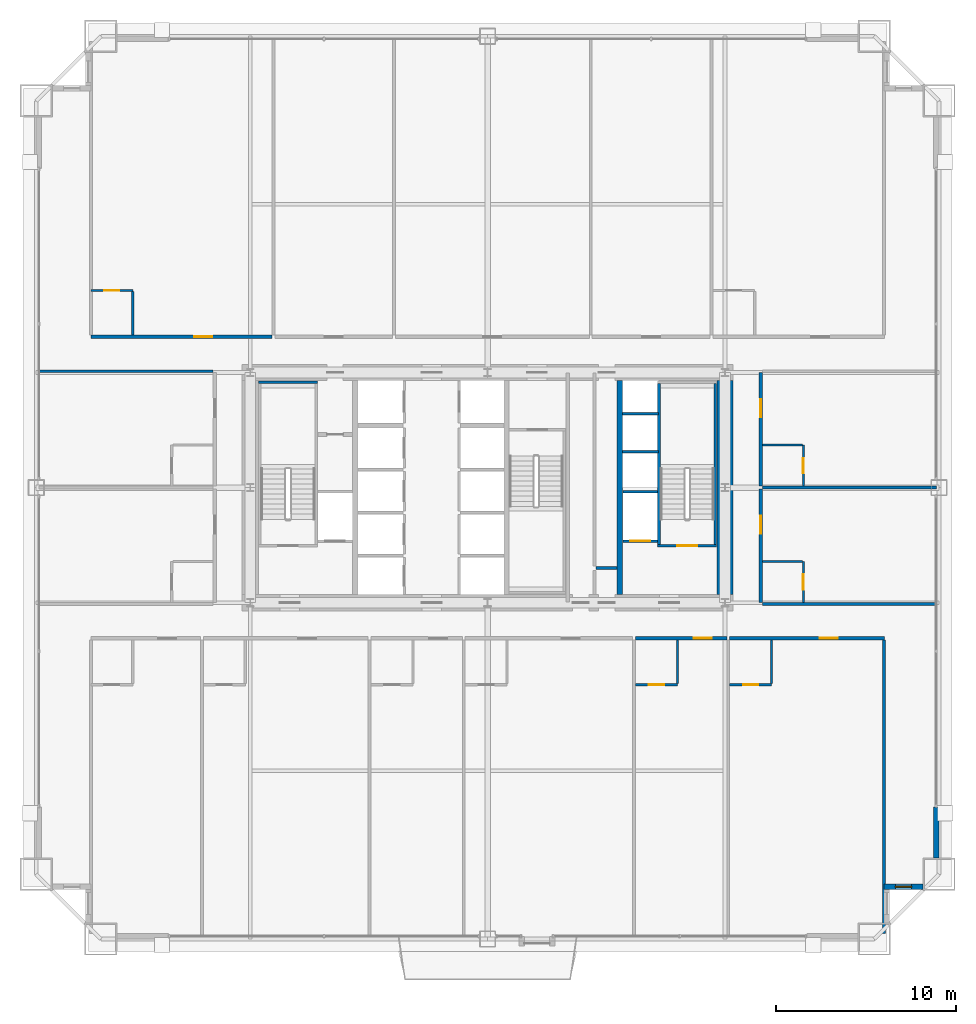
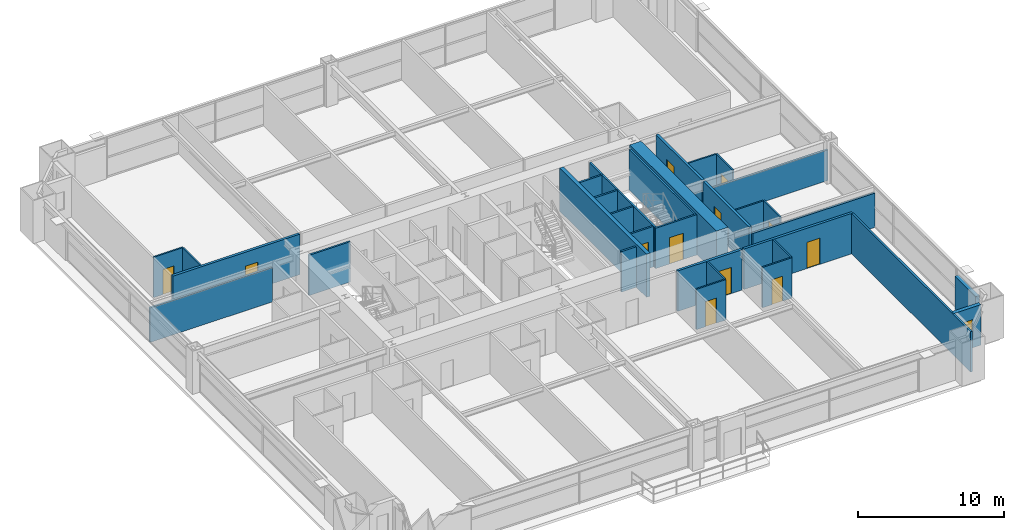
# One storey, part 41 of 43: 32 walls, 12 doors, 1 window, 13 openings.
"""IFC4 building model written with IfcOpenShell, lengths in metres."""

from ifc_helpers import new_model, si_unit, direction, frame, frame_2d, origin, place, context, subcontext, project, spatial, rectangle, extrude, source, transform, mapped, material, layer, layer_set, type_object, element, fill, save


model = new_model("IFC4")

# Units and contexts
model_context = context("Model", 3, precision=1e-05, world=origin(), true_north=direction((0.0, 1.0)))
body_context = subcontext(model_context, "Body", "Model", "MODEL_VIEW")
ifc_project = project(units=[si_unit("LENGTHUNIT", "METRE"), si_unit("AREAUNIT", "SQUARE_METRE"), si_unit("VOLUMEUNIT", "CUBIC_METRE"), si_unit("PLANEANGLEUNIT", "RADIAN"), si_unit("MASSUNIT", "GRAM", prefix="KILO"), si_unit("THERMODYNAMICTEMPERATUREUNIT", "KELVIN"), si_unit("POWERUNIT", "WATT")], contexts=[model_context])

# Site, building, storey
site_placement = place(None, origin())
site = spatial("IfcSite", under=ifc_project, at=site_placement, CompositionType="ELEMENT")
building_placement = place(site_placement, origin())
building = spatial("IfcBuilding", under=site, at=building_placement, Name="Yuzanri Waterfront Tower", CompositionType="ELEMENT")
storey_placement = place(building_placement, frame((0.0, 0.0, 64.0)))
storey = spatial("IfcBuildingStorey", under=building, at=storey_placement, Name="L16", CompositionType="ELEMENT", Elevation=64.0)

# Wall, opening, door
ifc_material_1 = material(Name="Moisture-Resistant Gypsum Stud Wall", Category="gypsum")
ifc_layer_1 = layer(ifc_material_1, 0.1201171875)
ifc_layer_set_1 = layer_set([ifc_layer_1], Name="Moisture-Resistant Gypsum Stud Wall")
wall_type_1 = type_object("IfcWallType", Name="Bathroom and Kitchen Wet Partition 120", PredefinedType="PARTITIONING", material=ifc_layer_set_1)
wall_1_placement = place(storey_placement, frame((45.22705078125, 14.840087890625, 0.0), z_axis=(0.0, 0.0, 1.0), x_axis=(1.0, 0.0, 0.0)))
wall_1 = element("IfcWall", 1, at=wall_1_placement, inside=storey, type_object=wall_type_1, Name="L16 Partition UW-L16-S5-BS", PredefinedType="PARTITIONING", context=body_context, shape_type="SweptSolid", body=[
    extrude(rectangle(XDim=2.329833984375, YDim=0.1201171875, at=frame_2d((1.1650390625, 0.0))), origin(), (0.0, 0.0, 1.0), 3.3798828125),
])
opening_1_placement = place(wall_1_placement, frame((0.739990234375, 0.0, 0.0)))
opening_1 = element("IfcOpeningElement", 2, at=opening_1_placement, cuts=wall_1, Name="Opening ID-0850", PredefinedType="OPENING", context=body_context, shape_type="SweptSolid", body=[
    extrude(rectangle(XDim=0.85009765625, YDim=2.10009765625, at=frame_2d((0.425048828125, 1.050048828125))), frame((0.0, 0.074951171875, 0.0), z_axis=(0.0, -1.0, 0.0), x_axis=(1.0, 0.0, 0.0)), (0.0, 0.0, 1.0), 0.14990234375),
])
ifc_material_2 = material(Name="Moisture-Resistant Lacquered Timber", Category="wood")
door_type_1 = type_object("IfcDoorType", Name="En-Suite Bathroom and Kitchen Swing Door 850x2100", OperationType="NOTDEFINED", PredefinedType="DOOR", material=ifc_material_2)
shared_shape_1 = source(origin(), body_context, "Body", "SweptSolid", [
    extrude(rectangle(XDim=0.85009765625, YDim=2.10009765625, at=frame_2d((0.425048828125, 1.050048828125))), frame((0.0, 0.02490234375, 0.0), z_axis=(0.0, -1.0, 0.0), x_axis=(1.0, 0.0, 0.0)), (0.0, 0.0, 1.0), 0.050048828125),
])
door_1_placement = place(opening_1_placement, origin())
door_1 = element("IfcDoor", 3, at=door_1_placement, inside=storey, type_object=door_type_1, Name="L16 Guest En-Suite Door", OperationType="SINGLE_SWING_RIGHT", OverallHeight=2.10009765625, OverallWidth=0.85009765625, PredefinedType="DOOR", context=body_context, shape_type="MappedRepresentation", body=[
    mapped(shared_shape_1, transform((0.0, 0.0, 0.0), scale=1.0)),
])
fill(opening_1, door_1)

wall_2_placement = place(storey_placement, frame((50.462890625, 14.840087890625, 0.0), z_axis=(0.0, 0.0, 1.0), x_axis=(1.0, 0.0, 0.0)))
wall_2 = element("IfcWall", 4, at=wall_2_placement, inside=storey, type_object=wall_type_1, Name="L16 Partition UW-L16-S6-BS", PredefinedType="PARTITIONING", context=body_context, shape_type="SweptSolid", body=[
    extrude(rectangle(XDim=2.330078125, YDim=0.1201171875, at=frame_2d((1.1650390625, 0.0))), origin(), (0.0, 0.0, 1.0), 3.3798828125),
])
opening_2_placement = place(wall_2_placement, frame((0.739990234375, 0.0, 0.0)))
opening_2 = element("IfcOpeningElement", 5, at=opening_2_placement, cuts=wall_2, Name="Opening ID-0850", PredefinedType="OPENING", context=body_context, shape_type="SweptSolid", body=[
    extrude(rectangle(XDim=0.85009765625, YDim=2.10009765625, at=frame_2d((0.425048828125, 1.050048828125))), frame((0.0, 0.074951171875, 0.0), z_axis=(0.0, -1.0, 0.0), x_axis=(1.0, 0.0, 0.0)), (0.0, 0.0, 1.0), 0.14990234375),
])
door_2_placement = place(opening_2_placement, origin())
door_2 = element("IfcDoor", 6, at=door_2_placement, inside=storey, type_object=door_type_1, Name="L16 Guest En-Suite Door", OperationType="SINGLE_SWING_RIGHT", OverallHeight=2.10009765625, OverallWidth=0.85009765625, PredefinedType="DOOR", context=body_context, shape_type="MappedRepresentation", body=[
    mapped(shared_shape_1, transform((0.0, 0.0, 0.0), scale=1.0)),
])
fill(opening_2, door_2)

wall_3_placement = place(storey_placement, frame((14.93994140625, 36.760009765625, 0.0), z_axis=(0.0, 0.0, 1.0), x_axis=(1.0, 0.0, 0.0)))
wall_3 = element("IfcWall", 7, at=wall_3_placement, inside=storey, type_object=wall_type_1, Name="L16 Partition UW-L16-N1-BN", PredefinedType="PARTITIONING", context=body_context, shape_type="SweptSolid", body=[
    extrude(rectangle(XDim=2.330078125, YDim=0.1201171875, at=frame_2d((1.1650390625, 0.0))), origin(), (0.0, 0.0, 1.0), 3.3798828125),
])
opening_3_placement = place(wall_3_placement, frame((0.739990234375, 0.0, 0.0)))
opening_3 = element("IfcOpeningElement", 8, at=opening_3_placement, cuts=wall_3, Name="Opening ID-0850", PredefinedType="OPENING", context=body_context, shape_type="SweptSolid", body=[
    extrude(rectangle(XDim=0.85009765625, YDim=2.10009765625, at=frame_2d((0.425048828125, 1.050048828125))), frame((0.0, 0.074951171875, 0.0), z_axis=(0.0, -1.0, 0.0), x_axis=(1.0, 0.0, 0.0)), (0.0, 0.0, 1.0), 0.14990234375),
])
door_3_placement = place(opening_3_placement, origin())
door_3 = element("IfcDoor", 9, at=door_3_placement, inside=storey, type_object=door_type_1, Name="L16 Guest En-Suite Door", OperationType="SINGLE_SWING_RIGHT", OverallHeight=2.10009765625, OverallWidth=0.85009765625, PredefinedType="DOOR", context=body_context, shape_type="MappedRepresentation", body=[
    mapped(shared_shape_1, transform((0.0, 0.0, 0.0), scale=1.0)),
])
fill(opening_3, door_3)

wall_4_placement = place(storey_placement, frame((54.56005859375, 19.409912109375, 0.0), z_axis=(0.0, 0.0, 1.0), x_axis=(0.0, 1.0, 0.0)))
wall_4 = element("IfcWall", 10, at=wall_4_placement, inside=storey, type_object=wall_type_1, Name="L16 Partition UW-L16-E1-BE2", PredefinedType="PARTITIONING", context=body_context, shape_type="SweptSolid", body=[
    extrude(rectangle(XDim=2.280029296875, YDim=0.1201171875, at=frame_2d((1.14013671875, 0.0))), origin(), (0.0, 0.0, 1.0), 3.3798828125),
])
opening_4_placement = place(wall_4_placement, frame((0.715087890625, 0.0, 0.0)))
opening_4 = element("IfcOpeningElement", 11, at=opening_4_placement, cuts=wall_4, Name="Opening ID-0850", PredefinedType="OPENING", context=body_context, shape_type="SweptSolid", body=[
    extrude(rectangle(XDim=0.85009765625, YDim=2.10009765625, at=frame_2d((0.425048828125, 1.050048828125))), frame((0.0, 0.074951171875, 0.0), z_axis=(0.0, -1.0, 0.0), x_axis=(1.0, 0.0, 0.0)), (0.0, 0.0, 1.0), 0.14990234375),
])
door_4_placement = place(opening_4_placement, origin())
door_4 = element("IfcDoor", 12, at=door_4_placement, inside=storey, type_object=door_type_1, Name="L16 Guest En-Suite Door", OperationType="SINGLE_SWING_LEFT", OverallHeight=2.10009765625, OverallWidth=0.85009765625, PredefinedType="DOOR", context=body_context, shape_type="MappedRepresentation", body=[
    mapped(shared_shape_1, transform((0.0, 0.0, 0.0), scale=1.0)),
])
fill(opening_4, door_4)

wall_5_placement = place(storey_placement, frame((54.56005859375, 25.8798828125, 0.0), z_axis=(0.0, 0.0, 1.0), x_axis=(0.0, 1.0, 0.0)))
wall_5 = element("IfcWall", 13, at=wall_5_placement, inside=storey, type_object=wall_type_1, Name="L16 Partition UW-L16-E2-BE2", PredefinedType="PARTITIONING", context=body_context, shape_type="SweptSolid", body=[
    extrude(rectangle(XDim=2.280029296875, YDim=0.1201171875, at=frame_2d((1.14013671875, 0.0))), origin(), (0.0, 0.0, 1.0), 3.3798828125),
])
opening_5_placement = place(wall_5_placement, frame((0.715087890625, 0.0, 0.0)))
opening_5 = element("IfcOpeningElement", 14, at=opening_5_placement, cuts=wall_5, Name="Opening ID-0850", PredefinedType="OPENING", context=body_context, shape_type="SweptSolid", body=[
    extrude(rectangle(XDim=0.85009765625, YDim=2.10009765625, at=frame_2d((0.425048828125, 1.050048828125))), frame((0.0, 0.074951171875, 0.0), z_axis=(0.0, -1.0, 0.0), x_axis=(1.0, 0.0, 0.0)), (0.0, 0.0, 1.0), 0.14990234375),
])
door_5_placement = place(opening_5_placement, origin())
door_5 = element("IfcDoor", 15, at=door_5_placement, inside=storey, type_object=door_type_1, Name="L16 Guest En-Suite Door", OperationType="SINGLE_SWING_LEFT", OverallHeight=2.10009765625, OverallWidth=0.85009765625, PredefinedType="DOOR", context=body_context, shape_type="MappedRepresentation", body=[
    mapped(shared_shape_1, transform((0.0, 0.0, 0.0), scale=1.0)),
])
fill(opening_5, door_5)

# Wall, opening, window
ifc_material_3 = material(Name="Honed Chongqing Dark Basalt Stone", Category="masonry")
ifc_layer_2 = layer(ifc_material_3, 0.300048828125)
ifc_layer_set_2 = layer_set([ifc_layer_2], Name="Honed Chongqing Dark Basalt Stone")
wall_type_2 = type_object("IfcWallType", Name="Bronze Rainscreen Insulated Spandrel Portal Wall 300", PredefinedType="SOLIDWALL", material=ifc_layer_set_2)
wall_6_placement = place(storey_placement, frame((59.050048828125, 3.60009765625, 0.0), z_axis=(0.0, 0.0, 1.0), x_axis=(1.0, 0.0, 0.0)))
wall_6 = element("IfcWall", 16, at=wall_6_placement, inside=storey, type_object=wall_type_2, Name="L16 Notched Corner Masonry Wall SE-X", PredefinedType="SOLIDWALL", context=body_context, shape_type="SweptSolid", body=[
    extrude(rectangle(XDim=2.14990234375, YDim=0.300048828125, at=frame_2d((1.074951171875, 0.0))), origin(), (0.0, 0.0, 1.0), 3.3798828125),
])
opening_6_placement = place(wall_6_placement, frame((0.625, 0.0, 0.85009765625)))
opening_6 = element("IfcOpeningElement", 17, at=opening_6_placement, cuts=wall_6, Name="Opening WN-05", PredefinedType="OPENING", context=body_context, shape_type="SweptSolid", body=[
    extrude(rectangle(XDim=0.89990234375, YDim=1.5, at=frame_2d((0.449951171875, 0.75))), frame((0.0, 0.1650390625, 0.0), z_axis=(0.0, -1.0, 0.0), x_axis=(1.0, 0.0, 0.0)), (0.0, 0.0, 1.0), 0.329833984375),
])
ifc_material_4 = material(Name="Double-Silver Low-E Insulated Glass", Category="glass")
window_type = type_object("IfcWindowType", Name="Anodized Bronze Service and Stairwell Smoke-Vent Window 900x1500", PartitioningType="SINGLE_PANEL", PredefinedType="WINDOW", material=ifc_material_4)
shared_shape_2 = source(origin(), body_context, "Body", "SweptSolid", [
    extrude(rectangle(XDim=0.89990234375, YDim=1.5, at=frame_2d((0.449951171875, 0.75))), frame((0.0, 0.030029296875, 0.0), z_axis=(0.0, -1.0, 0.0), x_axis=(1.0, 0.0, 0.0)), (0.0, 0.0, 1.0), 0.06005859375),
])
window_placement = place(opening_6_placement, origin())
window = element("IfcWindow", 18, at=window_placement, inside=storey, type_object=window_type, Name="L16 Notched Corner Window SE-X", OverallHeight=1.5, OverallWidth=0.89990234375, PartitioningType="SINGLE_PANEL", PredefinedType="WINDOW", context=body_context, shape_type="MappedRepresentation", body=[
    mapped(shared_shape_2, transform((0.0, 0.0, 0.0), scale=1.0)),
])
fill(opening_6, window)

# Wall, opening, door
ifc_material_5 = material(Name="Concrete C40", Category="concrete")
ifc_layer_3 = layer(ifc_material_5, 0.139892578125)
ifc_layer_set_3 = layer_set([ifc_layer_3], Name="Concrete C40")
wall_type_3 = type_object("IfcWallType", Name="Core Stair Liner and Hoistway Shaft Wall 140", PredefinedType="SOLIDWALL", material=ifc_layer_set_3)
wall_7_placement = place(storey_placement, frame((44.52001953125, 22.830078125, 0.0), z_axis=(0.0, 0.0, 1.0), x_axis=(1.0, 0.0, 0.0)))
wall_7 = element("IfcWall", 19, at=wall_7_placement, inside=storey, type_object=wall_type_3, Name="L16 Lift FL-02 Front Shaft Wall", PredefinedType="SOLIDWALL", context=body_context, shape_type="SweptSolid", body=[
    extrude(rectangle(XDim=1.919921875, YDim=0.139892578125, at=frame_2d((0.9599609375, 0.0))), origin(), (0.0, 0.0, 1.0), 3.3798828125),
])
opening_7_placement = place(wall_7_placement, frame((0.409912109375, 0.0, 0.0)))
opening_7 = element("IfcOpeningElement", 20, at=opening_7_placement, cuts=wall_7, Name="Opening LD-FL-02", PredefinedType="OPENING", context=body_context, shape_type="SweptSolid", body=[
    extrude(rectangle(XDim=1.10009765625, YDim=2.199951171875, at=frame_2d((0.550048828125, 1.10009765625))), frame((0.0, 0.0849609375, 0.0), z_axis=(0.0, -1.0, 0.0), x_axis=(1.0, 0.0, 0.0)), (0.0, 0.0, 1.0), 0.169677734375),
])
ifc_material_6 = material(Name="Brushed Bronze and Stainless Steel Cab", Category="steel")
door_type_2 = type_object("IfcDoorType", Name="Center-Parting Bronze Lift Landing Sliding Door 1100x2200", OperationType="NOTDEFINED", PredefinedType="DOOR", material=ifc_material_6)
shared_shape_3 = source(origin(), body_context, "Body", "SweptSolid", [
    extrude(rectangle(XDim=1.10009765625, YDim=2.199951171875, at=frame_2d((0.550048828125, 1.10009765625))), frame((0.0, 0.02490234375, 0.0), z_axis=(0.0, -1.0, 0.0), x_axis=(1.0, 0.0, 0.0)), (0.0, 0.0, 1.0), 0.050048828125),
])
door_6_placement = place(opening_7_placement, origin())
door_6 = element("IfcDoor", 21, at=door_6_placement, inside=storey, type_object=door_type_2, Name="L16 FL-02 Lift Landing Sliding Door", OperationType="SLIDING_TO_RIGHT", OverallHeight=2.199951171875, OverallWidth=1.10009765625, PredefinedType="DOOR", context=body_context, shape_type="MappedRepresentation", body=[
    mapped(shared_shape_3, transform((0.0, 0.0, 0.0), scale=1.0)),
])
fill(opening_7, door_6)

wall_8_placement = place(storey_placement, frame((46.4599609375, 22.570068359375, 0.0), z_axis=(0.0, 0.0, 1.0), x_axis=(1.0, 0.0, 0.0)))
wall_8 = element("IfcWall", 22, at=wall_8_placement, inside=storey, type_object=wall_type_3, Name="L16 Shaft Wall STW-L16-ST-02-S", PredefinedType="SOLIDWALL", context=body_context, shape_type="SweptSolid", body=[
    extrude(rectangle(XDim=3.280029296875, YDim=0.139892578125, at=frame_2d((1.64013671875, 0.0))), origin(), (0.0, 0.0, 1.0), 3.3798828125),
])
opening_8_placement = place(wall_8_placement, frame((1.090087890625, 0.0, 0.0)))
opening_8 = element("IfcOpeningElement", 23, at=opening_8_placement, cuts=wall_8, Name="Opening FD-1100", PredefinedType="OPENING", context=body_context, shape_type="SweptSolid", body=[
    extrude(rectangle(XDim=1.10009765625, YDim=2.199951171875, at=frame_2d((0.550048828125, 1.10009765625))), frame((0.0, 0.0849609375, 0.0), z_axis=(0.0, -1.0, 0.0), x_axis=(1.0, 0.0, 0.0)), (0.0, 0.0, 1.0), 0.169677734375),
])
ifc_material_7 = material(Name="Painted Galvanized Fire Steel", Category="steel")
door_type_3 = type_object("IfcDoorType", Name="Smoke-Proof Stair and Lobby Fire Door 1100x2200", OperationType="NOTDEFINED", PredefinedType="DOOR", material=ifc_material_7)
shared_shape_4 = source(origin(), body_context, "Body", "SweptSolid", [
    extrude(rectangle(XDim=1.10009765625, YDim=2.199951171875, at=frame_2d((0.550048828125, 1.10009765625))), frame((0.0, 0.02490234375, 0.0), z_axis=(0.0, -1.0, 0.0), x_axis=(1.0, 0.0, 0.0)), (0.0, 0.0, 1.0), 0.050048828125),
])
door_7_placement = place(opening_8_placement, origin())
door_7 = element("IfcDoor", 24, at=door_7_placement, inside=storey, type_object=door_type_3, Name="L16 Stair ST-02 Fire Door", OperationType="SINGLE_SWING_LEFT", OverallHeight=2.199951171875, OverallWidth=1.10009765625, PredefinedType="DOOR", context=body_context, shape_type="MappedRepresentation", body=[
    mapped(shared_shape_4, transform((0.0, 0.0, 0.0), scale=1.0)),
])
fill(opening_8, door_7)

ifc_material_8 = material(Name="Autoclaved Aerated Concrete Blockwork", Category="masonry")
ifc_layer_4 = layer(ifc_material_8, 0.199951171875)
ifc_layer_set_4 = layer_set([ifc_layer_4], Name="Autoclaved Aerated Concrete Blockwork")
wall_type_4 = type_object("IfcWallType", Name="Corridor and Unit Party Fire Wall 200", PredefinedType="PARTITIONING", material=ifc_layer_set_4)
wall_9_placement = place(storey_placement, frame((45.22705078125, 17.419921875, 0.0), z_axis=(0.0, 0.0, 1.0), x_axis=(1.0, 0.0, 0.0)))
wall_9 = element("IfcWall", 25, at=wall_9_placement, inside=storey, type_object=wall_type_4, Name="L16 Partition UW-L16-S5-CN", PredefinedType="PARTITIONING", context=body_context, shape_type="SweptSolid", body=[
    extrude(rectangle(XDim=5.075927734375, YDim=0.199951171875, at=frame_2d((2.5380859375, 0.0))), origin(), (0.0, 0.0, 1.0), 3.3798828125),
])
opening_9_placement = place(wall_9_placement, frame((3.242919921875, 0.0, 0.0)))
opening_9 = element("IfcOpeningElement", 26, at=opening_9_placement, cuts=wall_9, Name="Opening FD-1000", PredefinedType="OPENING", context=body_context, shape_type="SweptSolid", body=[
    extrude(rectangle(XDim=1.0, YDim=2.199951171875, at=frame_2d((0.5, 1.10009765625))), frame((0.0, 0.11474609375, 0.0), z_axis=(0.0, -1.0, 0.0), x_axis=(1.0, 0.0, 0.0)), (0.0, 0.0, 1.0), 0.229736328125),
])
ifc_material_9 = material(Name="Engineered Oak Fire-Rated Timber", Category="wood")
door_type_4 = type_object("IfcDoorType", Name="Guestroom and Apartment Entrance Fire Door 1000x2200", OperationType="NOTDEFINED", PredefinedType="DOOR", material=ifc_material_9)
shared_shape_5 = source(origin(), body_context, "Body", "SweptSolid", [
    extrude(rectangle(XDim=1.0, YDim=2.199951171875, at=frame_2d((0.5, 1.10009765625))), frame((0.0, 0.02490234375, 0.0), z_axis=(0.0, -1.0, 0.0), x_axis=(1.0, 0.0, 0.0)), (0.0, 0.0, 1.0), 0.050048828125),
])
door_8_placement = place(opening_9_placement, origin())
door_8 = element("IfcDoor", 27, at=door_8_placement, inside=storey, type_object=door_type_4, Name="L16 Deluxe Riverfront Junior Suite Entrance Door", OperationType="SINGLE_SWING_LEFT", OverallHeight=2.199951171875, OverallWidth=1.0, PredefinedType="DOOR", context=body_context, shape_type="MappedRepresentation", body=[
    mapped(shared_shape_5, transform((0.0, 0.0, 0.0), scale=1.0)),
])
fill(opening_9, door_8)

wall_10_placement = place(storey_placement, frame((50.462890625, 17.419921875, 0.0), z_axis=(0.0, 0.0, 1.0), x_axis=(1.0, 0.0, 0.0)))
wall_10 = element("IfcWall", 28, at=wall_10_placement, inside=storey, type_object=wall_type_4, Name="L16 Partition UW-L16-S6-CN", PredefinedType="PARTITIONING", context=body_context, shape_type="SweptSolid", body=[
    extrude(rectangle(XDim=8.59716796875, YDim=0.199951171875, at=frame_2d((4.298583984375, 0.0))), origin(), (0.0, 0.0, 1.0), 3.3798828125),
])
opening_10_placement = place(wall_10_placement, frame((5.0029296875, 0.0, 0.0)))
opening_10 = element("IfcOpeningElement", 29, at=opening_10_placement, cuts=wall_10, Name="Opening FD-1000", PredefinedType="OPENING", context=body_context, shape_type="SweptSolid", body=[
    extrude(rectangle(XDim=1.0, YDim=2.199951171875, at=frame_2d((0.5, 1.10009765625))), frame((0.0, 0.11474609375, 0.0), z_axis=(0.0, -1.0, 0.0), x_axis=(1.0, 0.0, 0.0)), (0.0, 0.0, 1.0), 0.229736328125),
])
door_9_placement = place(opening_10_placement, origin())
door_9 = element("IfcDoor", 30, at=door_9_placement, inside=storey, type_object=door_type_4, Name="L16 Deluxe Riverfront Junior Suite Entrance Door", OperationType="SINGLE_SWING_LEFT", OverallHeight=2.199951171875, OverallWidth=1.0, PredefinedType="DOOR", context=body_context, shape_type="MappedRepresentation", body=[
    mapped(shared_shape_5, transform((0.0, 0.0, 0.0), scale=1.0)),
])
fill(opening_10, door_9)

wall_11_placement = place(storey_placement, frame((14.93994140625, 34.179931640625, 0.0), z_axis=(0.0, 0.0, 1.0), x_axis=(1.0, 0.0, 0.0)))
wall_11 = element("IfcWall", 31, at=wall_11_placement, inside=storey, type_object=wall_type_4, Name="L16 Partition UW-L16-N1-CS", PredefinedType="PARTITIONING", context=body_context, shape_type="SweptSolid", body=[
    extrude(rectangle(XDim=10.068115234375, YDim=0.199951171875, at=frame_2d((5.0341796875, 0.0))), origin(), (0.0, 0.0, 1.0), 3.3798828125),
])
opening_11_placement = place(wall_11_placement, frame((5.739013671875, 0.0, 0.0)))
opening_11 = element("IfcOpeningElement", 32, at=opening_11_placement, cuts=wall_11, Name="Opening FD-1000", PredefinedType="OPENING", context=body_context, shape_type="SweptSolid", body=[
    extrude(rectangle(XDim=1.0, YDim=2.199951171875, at=frame_2d((0.5, 1.10009765625))), frame((0.0, 0.11474609375, 0.0), z_axis=(0.0, -1.0, 0.0), x_axis=(1.0, 0.0, 0.0)), (0.0, 0.0, 1.0), 0.229736328125),
])
door_10_placement = place(opening_11_placement, origin())
door_10 = element("IfcDoor", 33, at=door_10_placement, inside=storey, type_object=door_type_4, Name="L16 Diplomatic Suite Entrance Door", OperationType="SINGLE_SWING_LEFT", OverallHeight=2.199951171875, OverallWidth=1.0, PredefinedType="DOOR", context=body_context, shape_type="MappedRepresentation", body=[
    mapped(shared_shape_5, transform((0.0, 0.0, 0.0), scale=1.0)),
])
fill(opening_11, door_10)

wall_12_placement = place(storey_placement, frame((52.179931640625, 19.409912109375, 0.0), z_axis=(0.0, 0.0, 1.0), x_axis=(0.0, 1.0, 0.0)))
wall_12 = element("IfcWall", 34, at=wall_12_placement, inside=storey, type_object=wall_type_4, Name="L16 Partition UW-L16-E1-CW", PredefinedType="PARTITIONING", context=body_context, shape_type="SweptSolid", body=[
    extrude(rectangle(XDim=6.31005859375, YDim=0.199951171875, at=frame_2d((3.155029296875, 0.0))), origin(), (0.0, 0.0, 1.0), 3.3798828125),
])
opening_12_placement = place(wall_12_placement, frame((3.8349609375, 0.0, 0.0)))
opening_12 = element("IfcOpeningElement", 35, at=opening_12_placement, cuts=wall_12, Name="Opening FD-1000", PredefinedType="OPENING", context=body_context, shape_type="SweptSolid", body=[
    extrude(rectangle(XDim=1.0, YDim=2.199951171875, at=frame_2d((0.5, 1.10009765625))), frame((0.0, 0.11474609375, 0.0), z_axis=(0.0, -1.0, 0.0), x_axis=(1.0, 0.0, 0.0)), (0.0, 0.0, 1.0), 0.229736328125),
])
door_11_placement = place(opening_12_placement, origin())
door_11 = element("IfcDoor", 36, at=door_11_placement, inside=storey, type_object=door_type_4, Name="L16 East Guest Room Entrance Door", OperationType="SINGLE_SWING_RIGHT", OverallHeight=2.199951171875, OverallWidth=1.0, PredefinedType="DOOR", context=body_context, shape_type="MappedRepresentation", body=[
    mapped(shared_shape_5, transform((0.0, 0.0, 0.0), scale=1.0)),
])
fill(opening_12, door_11)

wall_13_placement = place(storey_placement, frame((52.179931640625, 25.8798828125, 0.0), z_axis=(0.0, 0.0, 1.0), x_axis=(0.0, 1.0, 0.0)))
wall_13 = element("IfcWall", 37, at=wall_13_placement, inside=storey, type_object=wall_type_4, Name="L16 Partition UW-L16-E2-CW", PredefinedType="PARTITIONING", context=body_context, shape_type="SweptSolid", body=[
    extrude(rectangle(XDim=6.31005859375, YDim=0.199951171875, at=frame_2d((3.155029296875, 0.0))), origin(), (0.0, 0.0, 1.0), 3.3798828125),
])
opening_13_placement = place(wall_13_placement, frame((3.8349609375, 0.0, 0.0)))
opening_13 = element("IfcOpeningElement", 38, at=opening_13_placement, cuts=wall_13, Name="Opening FD-1000", PredefinedType="OPENING", context=body_context, shape_type="SweptSolid", body=[
    extrude(rectangle(XDim=1.0, YDim=2.199951171875, at=frame_2d((0.5, 1.10009765625))), frame((0.0, 0.11474609375, 0.0), z_axis=(0.0, -1.0, 0.0), x_axis=(1.0, 0.0, 0.0)), (0.0, 0.0, 1.0), 0.229736328125),
])
door_12_placement = place(opening_13_placement, origin())
door_12 = element("IfcDoor", 39, at=door_12_placement, inside=storey, type_object=door_type_4, Name="L16 East Guest Room Entrance Door", OperationType="SINGLE_SWING_RIGHT", OverallHeight=2.199951171875, OverallWidth=1.0, PredefinedType="DOOR", context=body_context, shape_type="MappedRepresentation", body=[
    mapped(shared_shape_5, transform((0.0, 0.0, 0.0), scale=1.0)),
])
fill(opening_13, door_12)

# Walls
ifc_material_10 = material(Name="Concrete C60", Category="concrete")
ifc_layer_5 = layer(ifc_material_10, 0.89990234375)
ifc_layer_set_5 = layer_set([ifc_layer_5], Name="Concrete C60")
wall_type_5 = type_object("IfcWallType", Name="Concrete C60 Lower Zone Core Shear Wall 900", PredefinedType="SHEAR", material=ifc_layer_set_5)
shared_shape_6 = source(origin(), body_context, "Body", "SweptSolid", [
    extrude(rectangle(XDim=11.89990234375, YDim=0.89990234375, at=frame_2d((5.949951171875, 0.0))), origin(), (0.0, 0.0, 1.0), 3.60009765625),
])
wall_14_placement = place(storey_placement, frame((50.199951171875, 19.85009765625, 0.0), z_axis=(0.0, 0.0, 1.0), x_axis=(0.0, 1.0, 0.0)))
element("IfcWall", 40, at=wall_14_placement, inside=storey, type_object=wall_type_5, Name="L16 Core East Shear Wall", PredefinedType="SHEAR", context=body_context, shape_type="MappedRepresentation", body=[
    mapped(shared_shape_6, transform((0.0, 0.0, 0.0), scale=1.0)),
])
ifc_material_11 = material(Name="Concrete C50", Category="concrete")
ifc_layer_6 = layer(ifc_material_11, 0.300048828125)
ifc_layer_set_6 = layer_set([ifc_layer_6], Name="Concrete C50")
wall_type_6 = type_object("IfcWallType", Name="Concrete C50 Internal Core Shaft Structural Wall 300", PredefinedType="SOLIDWALL", material=ifc_layer_set_6)
shared_shape_7 = source(origin(), body_context, "Body", "SweptSolid", [
    extrude(rectangle(XDim=11.89990234375, YDim=0.300048828125, at=frame_2d((5.949951171875, 0.0))), origin(), (0.0, 0.0, 1.0), 3.60009765625),
])
wall_15_placement = place(storey_placement, frame((44.35009765625, 19.85009765625, 0.0), z_axis=(0.0, 0.0, 1.0), x_axis=(0.0, 1.0, 0.0)))
element("IfcWall", 41, at=wall_15_placement, inside=storey, type_object=wall_type_6, Name="L16 Core Internal Structural Web Wall 3", PredefinedType="SOLIDWALL", context=body_context, shape_type="MappedRepresentation", body=[
    mapped(shared_shape_7, transform((0.0, 0.0, 0.0), scale=1.0)),
])
shared_shape_8 = source(origin(), body_context, "Body", "SweptSolid", [
    extrude(rectangle(XDim=2.85009765625, YDim=0.300048828125, at=frame_2d((1.425048828125, 0.0))), origin(), (0.0, 0.0, 1.0), 2.77490234375),
])
wall_16_placement = place(storey_placement, frame((61.949951171875, 5.199951171875, 0.0), z_axis=(0.0, 0.0, 1.0), x_axis=(0.0, 1.0, 0.0)))
element("IfcWall", 42, at=wall_16_placement, inside=storey, type_object=wall_type_2, Name="L16 E Left Braced Masonry Shoulder", PredefinedType="SOLIDWALL", context=body_context, shape_type="MappedRepresentation", body=[
    mapped(shared_shape_8, transform((0.0, 0.0, 0.0), scale=1.0)),
])
shared_shape_9 = source(origin(), body_context, "Body", "SweptSolid", [
    extrude(rectangle(XDim=1.919921875, YDim=0.139892578125, at=frame_2d((0.9599609375, 0.0))), origin(), (0.0, 0.0, 1.0), 3.3798828125),
])
wall_17_placement = place(storey_placement, frame((44.52001953125, 25.570068359375, 0.0), z_axis=(0.0, 0.0, 1.0), x_axis=(1.0, 0.0, 0.0)))
element("IfcWall", 43, at=wall_17_placement, inside=storey, type_object=wall_type_3, Name="L16 Lift FL-02 Back Shaft Wall", PredefinedType="SOLIDWALL", context=body_context, shape_type="MappedRepresentation", body=[
    mapped(shared_shape_9, transform((0.0, 0.0, 0.0), scale=1.0)),
])
shared_shape_10 = source(origin(), body_context, "Body", "SweptSolid", [
    extrude(rectangle(XDim=2.0, YDim=0.139892578125, at=frame_2d((1.0, 0.0))), origin(), (0.0, 0.0, 1.0), 3.3798828125),
])
for number, where, z_axis, x_axis, name in (
    (44, (44.5, 27.800048828125, 0.0), (0.0, 0.0, 1.0), (1.0, 0.0, 0.0), "L16 Lift PL-09 Divider Wall"),
    (45, (44.5, 29.89990234375, 0.0), (0.0, 0.0, 1.0), (1.0, 0.0, 0.0), "L16 Lift PL-10 Divider Wall"),
):
    element("IfcWall", number, at=place(storey_placement, frame(where, z_axis=z_axis, x_axis=x_axis)), inside=storey, type_object=wall_type_3, Name=name, PredefinedType="SOLIDWALL", context=body_context, shape_type="MappedRepresentation", body=[
        mapped(shared_shape_10, transform((0.0, 0.0, 0.0), scale=1.0)),
    ])
shared_shape_11 = source(origin(), body_context, "Body", "SweptSolid", [
    extrude(rectangle(XDim=3.280029296875, YDim=0.139892578125, at=frame_2d((1.64013671875, 0.0))), origin(), (0.0, 0.0, 1.0), 3.3798828125),
])
wall_18_placement = place(storey_placement, frame((24.260009765625, 31.64990234375, 0.0), z_axis=(0.0, 0.0, 1.0), x_axis=(1.0, 0.0, 0.0)))
element("IfcWall", 46, at=wall_18_placement, inside=storey, type_object=wall_type_3, Name="L16 Stair ST-01 North Shaft Wall", PredefinedType="SOLIDWALL", context=body_context, shape_type="MappedRepresentation", body=[
    mapped(shared_shape_11, transform((0.0, 0.0, 0.0), scale=1.0)),
])
shared_shape_12 = source(origin(), body_context, "Body", "SweptSolid", [
    extrude(rectangle(XDim=8.940185546875, YDim=0.139892578125, at=frame_2d((4.47021484375, 0.0))), origin(), (0.0, 0.0, 1.0), 3.3798828125),
])
for number, where, z_axis, x_axis, name in (
    (47, (46.530029296875, 22.639892578125, 0.0), (0.0, 0.0, 1.0), (0.0, 1.0, 0.0), "L16 Stair ST-02 West Shaft Wall"),
    (48, (49.669921875, 22.639892578125, 0.0), (0.0, 0.0, 1.0), (0.0, 1.0, 0.0), "L16 Stair ST-02 East Shaft Wall"),
):
    element("IfcWall", number, at=place(storey_placement, frame(where, z_axis=z_axis, x_axis=x_axis)), inside=storey, type_object=wall_type_3, Name=name, PredefinedType="SOLIDWALL", context=body_context, shape_type="MappedRepresentation", body=[
        mapped(shared_shape_12, transform((0.0, 0.0, 0.0), scale=1.0)),
    ])
ifc_material_12 = material(Name="Gypsum Fireboard Acoustic Stud Wall", Category="gypsum")
ifc_layer_7 = layer(ifc_material_12, 0.159912109375)
ifc_layer_set_7 = layer_set([ifc_layer_7], Name="Gypsum Fireboard Acoustic Stud Wall")
wall_type_7 = type_object("IfcWallType", Name="Acoustic Suite Demising Partition 160", PredefinedType="PARTITIONING", material=ifc_layer_set_7)
shared_shape_13 = source(origin(), body_context, "Body", "SweptSolid", [
    extrude(rectangle(XDim=1.169921875, YDim=0.159912109375, at=frame_2d((0.5849609375, 0.0))), origin(), (0.0, 0.0, 1.0), 3.3798828125),
])
wall_19_placement = place(storey_placement, frame((43.030029296875, 21.320068359375, 0.0), z_axis=(0.0, 0.0, 1.0), x_axis=(1.0, 0.0, 0.0)))
element("IfcWall", 49, at=wall_19_placement, inside=storey, type_object=wall_type_7, Name="L16 East Wet Riser North Wall", PredefinedType="PARTITIONING", context=body_context, shape_type="MappedRepresentation", body=[
    mapped(shared_shape_13, transform((0.0, 0.0, 0.0), scale=1.0)),
])
shared_shape_14 = source(origin(), body_context, "Body", "SweptSolid", [
    extrude(rectangle(XDim=2.420166015625, YDim=0.1201171875, at=frame_2d((1.2099609375, 0.0))), origin(), (0.0, 0.0, 1.0), 3.3798828125),
])
for number, where, z_axis, x_axis, name in (
    (50, (47.556884765625, 14.89990234375, 0.0), (0.0, 0.0, 1.0), (0.0, 1.0, 0.0), "L16-S5 En-Suite Side Wall"),
    (51, (52.79296875, 14.89990234375, 0.0), (0.0, 0.0, 1.0), (0.0, 1.0, 0.0), "L16-S6 En-Suite Side Wall"),
):
    element("IfcWall", number, at=place(storey_placement, frame(where, z_axis=z_axis, x_axis=x_axis)), inside=storey, type_object=wall_type_1, Name=name, PredefinedType="PARTITIONING", context=body_context, shape_type="MappedRepresentation", body=[
        mapped(shared_shape_14, transform((0.0, 0.0, 0.0), scale=1.0)),
    ])
shared_shape_15 = source(origin(), body_context, "Body", "SweptSolid", [
    extrude(rectangle(XDim=16.320068359375, YDim=0.159912109375, at=frame_2d((8.16015625, 0.0))), origin(), (0.0, 0.0, 1.0), 3.3798828125),
])
wall_20_placement = place(storey_placement, frame((59.050048828125, 1.0, 0.0), z_axis=(0.0, 0.0, 1.0), x_axis=(0.0, 1.0, 0.0)))
element("IfcWall", 52, at=wall_20_placement, inside=storey, type_object=wall_type_7, Name="L16 South Band East End Wall", PredefinedType="PARTITIONING", context=body_context, shape_type="MappedRepresentation", body=[
    mapped(shared_shape_15, transform((0.0, 0.0, 0.0), scale=1.0)),
])
shared_shape_16 = source(origin(), body_context, "Body", "SweptSolid", [
    extrude(rectangle(XDim=2.419921875, YDim=0.1201171875, at=frame_2d((1.2099609375, 0.0))), origin(), (0.0, 0.0, 1.0), 3.3798828125),
])
wall_21_placement = place(storey_placement, frame((17.27001953125, 34.280029296875, 0.0), z_axis=(0.0, 0.0, 1.0), x_axis=(0.0, 1.0, 0.0)))
element("IfcWall", 53, at=wall_21_placement, inside=storey, type_object=wall_type_1, Name="L16-N1 En-Suite Side Wall", PredefinedType="PARTITIONING", context=body_context, shape_type="MappedRepresentation", body=[
    mapped(shared_shape_16, transform((0.0, 0.0, 0.0), scale=1.0)),
])
shared_shape_17 = source(origin(), body_context, "Body", "SweptSolid", [
    extrude(rectangle(XDim=9.669921875, YDim=0.159912109375, at=frame_2d((4.8349609375, 0.0))), origin(), (0.0, 0.0, 1.0), 2.574951171875),
])
wall_22_placement = place(storey_placement, frame((52.280029296875, 25.800048828125, 0.0), z_axis=(0.0, 0.0, 1.0), x_axis=(1.0, 0.0, 0.0)))
element("IfcWall", 54, at=wall_22_placement, inside=storey, type_object=wall_type_7, Name="L16-E1 Wing Party Wall", PredefinedType="PARTITIONING", context=body_context, shape_type="MappedRepresentation", body=[
    mapped(shared_shape_17, transform((0.0, 0.0, 0.0), scale=1.0)),
])
shared_shape_18 = source(origin(), body_context, "Body", "SweptSolid", [
    extrude(rectangle(XDim=9.669921875, YDim=0.159912109375, at=frame_2d((4.8349609375, 0.0))), origin(), (0.0, 0.0, 1.0), 2.875),
])
for number, where, z_axis, x_axis, name in (
    (55, (12.050048828125, 32.27001953125, 0.0), (0.0, 0.0, 1.0), (1.0, 0.0, 0.0), "L16-W2 Wing North End Wall"),
    (56, (52.280029296875, 19.330078125, 0.0), (0.0, 0.0, 1.0), (1.0, 0.0, 0.0), "L16-E1 Wing South End Wall"),
):
    element("IfcWall", number, at=place(storey_placement, frame(where, z_axis=z_axis, x_axis=x_axis)), inside=storey, type_object=wall_type_7, Name=name, PredefinedType="PARTITIONING", context=body_context, shape_type="MappedRepresentation", body=[
        mapped(shared_shape_18, transform((0.0, 0.0, 0.0), scale=1.0)),
    ])
shared_shape_19 = source(origin(), body_context, "Body", "SweptSolid", [
    extrude(rectangle(XDim=2.219970703125, YDim=0.1201171875, at=frame_2d((1.10986328125, 0.0))), origin(), (0.0, 0.0, 1.0), 3.3798828125),
])
for number, where, z_axis, x_axis, name in (
    (57, (52.280029296875, 21.68994140625, 0.0), (0.0, 0.0, 1.0), (1.0, 0.0, 0.0), "L16-E1 En-Suite Top Wall"),
    (58, (52.280029296875, 28.159912109375, 0.0), (0.0, 0.0, 1.0), (1.0, 0.0, 0.0), "L16-E2 En-Suite Top Wall"),
):
    element("IfcWall", number, at=place(storey_placement, frame(where, z_axis=z_axis, x_axis=x_axis)), inside=storey, type_object=wall_type_1, Name=name, PredefinedType="PARTITIONING", context=body_context, shape_type="MappedRepresentation", body=[
        mapped(shared_shape_19, transform((0.0, 0.0, 0.0), scale=1.0)),
    ])

save(model, "model.ifc")
